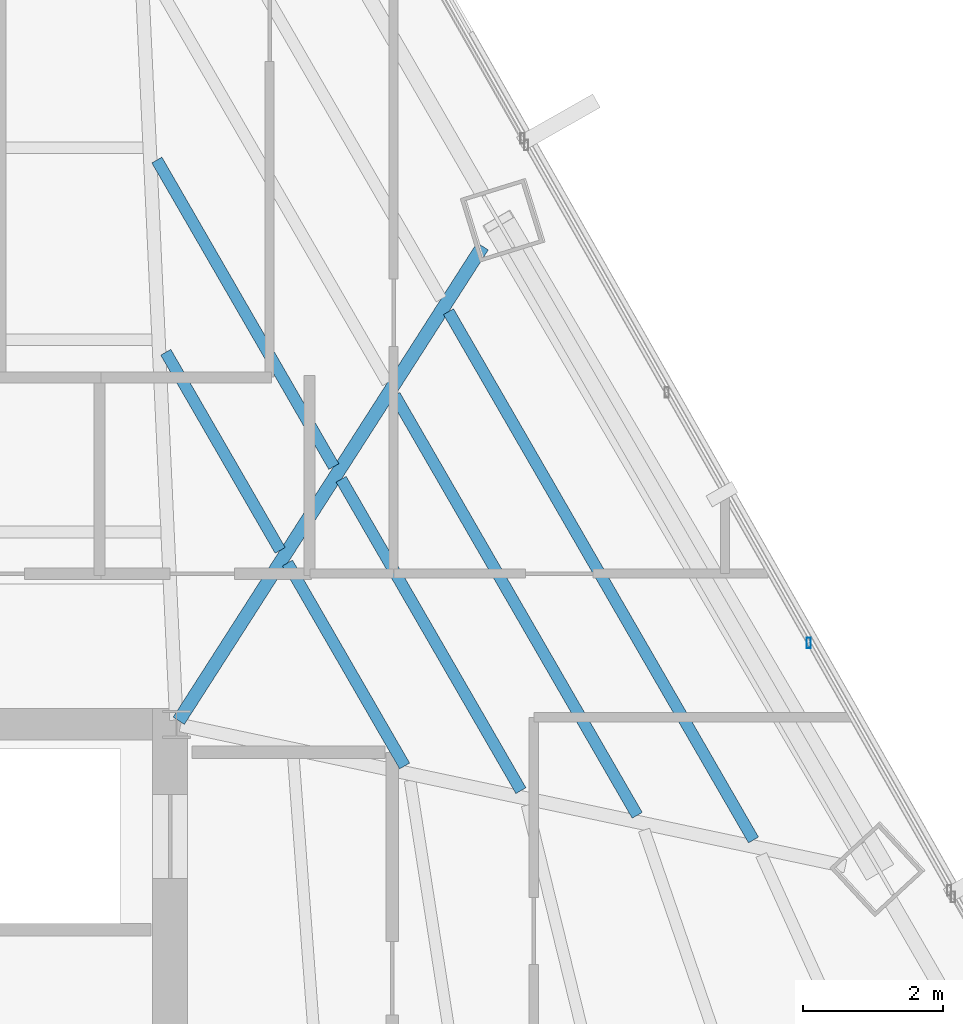
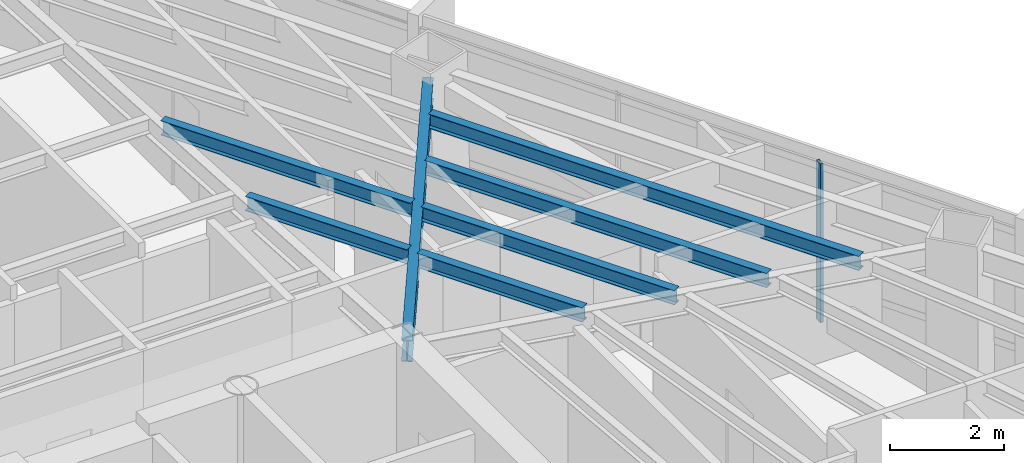
# One storey, part 24 of 42: 7 beams, 1 member, 1 element without a shape of its own.
"""IFC4 building model written with IfcOpenShell, lengths in metres."""

from ifc_helpers import new_model, si_unit, direction, frame, origin, origin_2d, place, context, subcontext, project, spatial, hollow_rectangle, i_section, extrude, source, transform, mapped, material, material_profile, profile_set, type_object, type_shapes, element, aggregate, save


model = new_model("IFC4")

# Units and contexts
model_context = context("Model", 3, precision=1e-05, world=origin(), true_north=direction((0.0, 1.0)))
body_context = subcontext(model_context, "Body", "Model", "MODEL_VIEW")
ifc_project = project(units=[si_unit("LENGTHUNIT", "METRE"), si_unit("AREAUNIT", "SQUARE_METRE"), si_unit("VOLUMEUNIT", "CUBIC_METRE"), si_unit("PLANEANGLEUNIT", "RADIAN"), si_unit("MASSUNIT", "GRAM", prefix="KILO")], contexts=[model_context])

# Site, building, storey
site_placement = place(None, origin())
site = spatial("IfcSite", under=ifc_project, at=site_placement, CompositionType="ELEMENT")
building_placement = place(site_placement, origin())
building = spatial("IfcBuilding", under=site, at=building_placement, Name="Caelisora Broadcast Tower", CompositionType="ELEMENT")
storey_placement = place(building_placement, frame((0.0, 0.0, 131.800048828125)))
storey = spatial("IfcBuildingStorey", under=building, at=storey_placement, Name="L34", CompositionType="ELEMENT", Elevation=131.800048828125)

# Beams
ifc_material_1 = material(Name="Steel Grade 350 (AS/NZS 3679.1)", Category="steel")
ifc_material_profile_1 = material_profile(ifc_material_1, i_section(OverallWidth=0.19091796875, OverallDepth=0.46044921875, WebThickness=0.010009765625, FlangeThickness=0.01611328125, at=origin_2d()), Name="Steel Grade 350 (AS/NZS 3679.1)")
ifc_profile_set_1 = profile_set([ifc_material_profile_1], Name="Steel Grade 350 (AS/NZS 3679.1)")
beam_type_1 = type_object("IfcBeamType", Name="PG06", PredefinedType="BEAM", material=ifc_profile_set_1)
shared_shape_1 = source(origin(), body_context, "Body", "SweptSolid", [
    extrude(i_section(OverallWidth=0.19091796875, OverallDepth=0.46044921875, WebThickness=0.010009765625, FlangeThickness=0.01611328125, at=origin_2d()), origin(), (0.0, 0.0, 1.0), 8.041259765625),
])
type_shapes(beam_type_1, [shared_shape_1])
beam_1_placement = place(storey_placement, frame((45.532470703125, 30.050537109375, 3.169677734375), z_axis=(0.539424972566, 0.84203366855, 0.0), x_axis=(-0.84203366855, 0.539424972566, 0.0)))
element("IfcBeam", 1, at=beam_1_placement, inside=storey, type_object=beam_type_1, Name="L34 beam PG06", PredefinedType="BEAM", context=body_context, shape_type="MappedRepresentation", body=[
    mapped(shared_shape_1, transform((0.0, 0.0, 0.0), scale=1.0)),
])
ifc_material_profile_2 = material_profile(ifc_material_1, i_section(OverallWidth=0.166015625, OverallDepth=0.30712890625, WebThickness=0.006591796875, FlangeThickness=0.01171875, at=origin_2d()), Name="Steel Grade 350 (AS/NZS 3679.1)")
ifc_profile_set_2 = profile_set([ifc_material_profile_2], Name="Steel Grade 350 (AS/NZS 3679.1)")
beam_type_2 = type_object("IfcBeamType", Name="SB03", PredefinedType="JOIST", material=ifc_profile_set_2)
shared_shape_2 = source(origin(), body_context, "Body", "SweptSolid", [
    extrude(i_section(OverallWidth=0.166015625, OverallDepth=0.30712890625, WebThickness=0.006591796875, FlangeThickness=0.01171875, at=origin_2d()), origin(), (0.0, 0.0, 1.0), 3.26513671875),
])
beam_2_placement = place(storey_placement, frame((46.97998046875, 32.482177734375, 3.246337890625), z_axis=(-0.500007244493, 0.866021221134, 0.0), x_axis=(-0.866021221134, -0.500007244493, 0.0)))
element("IfcBeam", 2, at=beam_2_placement, inside=storey, type_object=beam_type_2, Name="L34 beam SB03", PredefinedType="JOIST", context=body_context, shape_type="MappedRepresentation", body=[
    mapped(shared_shape_2, transform((0.0, 0.0, 0.0), scale=1.0)),
])
shared_shape_3 = source(origin(), body_context, "Body", "SweptSolid", [
    extrude(i_section(OverallWidth=0.166015625, OverallDepth=0.30712890625, WebThickness=0.006591796875, FlangeThickness=0.01171875, at=origin_2d()), origin(), (0.0, 0.0, 1.0), 5.05224609375),
])
beam_3_placement = place(storey_placement, frame((47.74609375, 33.677978515625, 3.246337890625), z_axis=(-0.499990159468, 0.866031085144, 0.0), x_axis=(-0.866031085144, -0.499990159468, 0.0)))
element("IfcBeam", 3, at=beam_3_placement, inside=storey, type_object=beam_type_2, Name="L34 beam SB03", PredefinedType="JOIST", context=body_context, shape_type="MappedRepresentation", body=[
    mapped(shared_shape_3, transform((0.0, 0.0, 0.0), scale=1.0)),
])
shared_shape_4 = source(origin(), body_context, "Body", "SweptSolid", [
    extrude(i_section(OverallWidth=0.166015625, OverallDepth=0.30712890625, WebThickness=0.006591796875, FlangeThickness=0.01171875, at=origin_2d()), origin(), (0.0, 0.0, 1.0), 3.3447265625),
])
beam_4_placement = place(storey_placement, frame((48.7568359375, 29.40478515625, 3.246337890625), z_axis=(-0.500017322015, 0.866015402684, 0.0), x_axis=(-0.866015402684, -0.500017322015, 0.0)))
element("IfcBeam", 4, at=beam_4_placement, inside=storey, type_object=beam_type_2, Name="L34 beam SB03", PredefinedType="JOIST", context=body_context, shape_type="MappedRepresentation", body=[
    mapped(shared_shape_4, transform((0.0, 0.0, 0.0), scale=1.0)),
])
shared_shape_5 = source(origin(), body_context, "Body", "SweptSolid", [
    extrude(i_section(OverallWidth=0.166015625, OverallDepth=0.30712890625, WebThickness=0.006591796875, FlangeThickness=0.01171875, at=origin_2d()), origin(), (0.0, 0.0, 1.0), 5.131591796875),
])
beam_5_placement = place(storey_placement, frame((50.41650390625, 29.052978515625, 3.246337890625), z_axis=(-0.500017592688, 0.866015246403, 0.0), x_axis=(-0.866015246403, -0.500017592688, 0.0)))
element("IfcBeam", 5, at=beam_5_placement, inside=storey, type_object=beam_type_2, Name="L34 beam SB03", PredefinedType="JOIST", context=body_context, shape_type="MappedRepresentation", body=[
    mapped(shared_shape_5, transform((0.0, 0.0, 0.0), scale=1.0)),
])
shared_shape_6 = source(origin(), body_context, "Body", "SweptSolid", [
    extrude(i_section(OverallWidth=0.166015625, OverallDepth=0.30712890625, WebThickness=0.006591796875, FlangeThickness=0.01171875, at=origin_2d()), origin(), (0.0, 0.0, 1.0), 6.919189453125),
])
beam_6_placement = place(storey_placement, frame((52.076416015625, 28.700927734375, 3.246337890625), z_axis=(-0.500013628309, 0.866017535334, 0.0), x_axis=(-0.866017535334, -0.500013628309, 0.0)))
element("IfcBeam", 6, at=beam_6_placement, inside=storey, type_object=beam_type_2, Name="L34 beam SB03", PredefinedType="JOIST", context=body_context, shape_type="MappedRepresentation", body=[
    mapped(shared_shape_6, transform((0.0, 0.0, 0.0), scale=1.0)),
])
shared_shape_7 = source(origin(), body_context, "Body", "SweptSolid", [
    extrude(i_section(OverallWidth=0.166015625, OverallDepth=0.30712890625, WebThickness=0.006591796875, FlangeThickness=0.01171875, at=origin_2d()), origin(), (0.0, 0.0, 1.0), 8.706298828125),
])
type_shapes(beam_type_2, [shared_shape_2, shared_shape_3, shared_shape_4, shared_shape_5, shared_shape_6, shared_shape_7])
beam_7_placement = place(storey_placement, frame((53.736083984375, 28.34912109375, 3.246337890625), z_axis=(-0.500014546016, 0.866017005475, 0.0), x_axis=(-0.866017005475, -0.500014546016, 0.0)))
element("IfcBeam", 7, at=beam_7_placement, inside=storey, type_object=beam_type_2, Name="L34 beam SB03", PredefinedType="JOIST", context=body_context, shape_type="MappedRepresentation", body=[
    mapped(shared_shape_7, transform((0.0, 0.0, 0.0), scale=1.0)),
])

# Curtain wall, member
ifc_material_2 = material(Name="Unitised Aluminium Insulated Shadow-Box Spandrel Curtain Wall", Category="aluminium")
curtain_wall_type = type_object("IfcCurtainWallType", Name="CW-SP2", PredefinedType="NOTDEFINED", material=ifc_material_2)
curtain_wall_placement = place(storey_placement, origin())
curtain_wall = element("IfcCurtainWall", 8, at=curtain_wall_placement, inside=storey, type_object=curtain_wall_type, Name="L34 curtain wall CW-SP2", PredefinedType="NOTDEFINED")
ifc_material_3 = material(Name="Aluminium 6063-T6 Anodised Terracotta Bronze", Category="aluminium")
ifc_material_profile_3 = material_profile(ifc_material_3, hollow_rectangle(XDim=0.06005859375, YDim=0.14990234375, WallThickness=0.00341796875, at=origin_2d()), Name="Aluminium 6063-T6 Anodised Terracotta Bronze")
ifc_profile_set_3 = profile_set([ifc_material_profile_3], Name="Aluminium 6063-T6 Anodised Terracotta Bronze")
member_type = type_object("IfcMemberType", Name="CWM-03", PredefinedType="MULLION", material=ifc_profile_set_3)
shared_shape_8 = source(origin(), body_context, "Body", "SweptSolid", [
    extrude(hollow_rectangle(XDim=0.06005859375, YDim=0.14990234375, WallThickness=0.00341796875, at=origin_2d()), origin(), (0.0, 0.0, 1.0), 3.39990234375),
])
type_shapes(member_type, [shared_shape_8])
member_placement = place(storey_placement, frame((54.525390625, 31.16162109375, 0.0), z_axis=(0.0, 0.0, 1.0), x_axis=(1.0, 0.0, 0.0)))
member = element("IfcMember", 9, at=member_placement, type_object=member_type, Name="L34-CW-B02 mullion #2", PredefinedType="MULLION", context=body_context, shape_type="MappedRepresentation", body=[
    mapped(shared_shape_8, transform((0.0, 0.0, 0.0), scale=1.0)),
])
aggregate(curtain_wall, [member])

save(model, "model.ifc")
